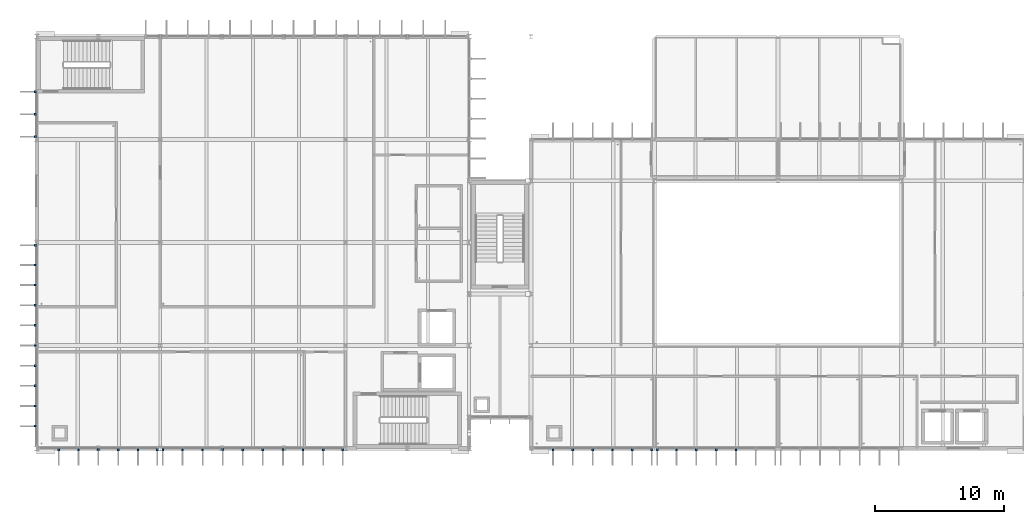
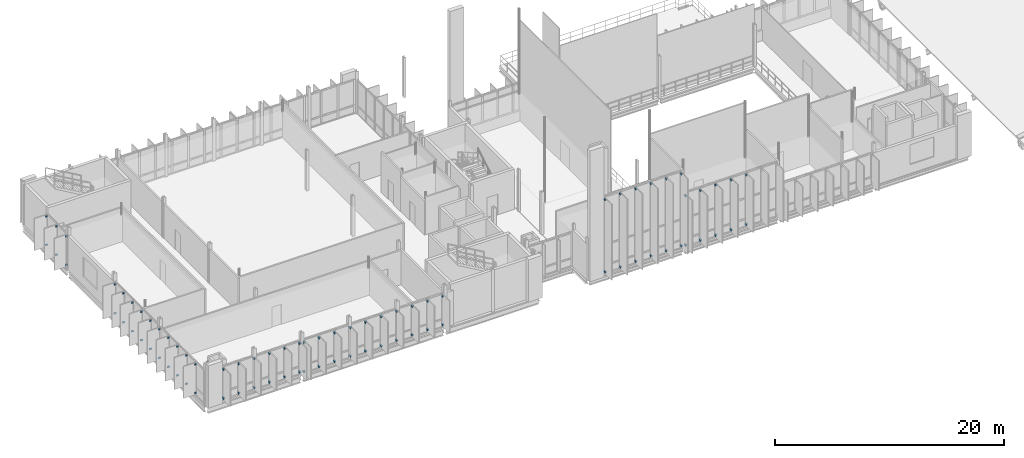
# One storey, part 34 of 41: 80 discrete accessories.
"""IFC4 building model written with IfcOpenShell, lengths in metres."""

from ifc_helpers import new_model, si_unit, direction, frame, origin, origin_2d, place, context, subcontext, project, spatial, rectangle, extrude, material, type_object, element, save


model = new_model("IFC4")

# Units and contexts
model_context = context("Model", 3, precision=1e-05, world=origin(), true_north=direction((0.0, 1.0)))
body_context = subcontext(model_context, "Body", "Model", "MODEL_VIEW")
ifc_project = project(units=[si_unit("LENGTHUNIT", "METRE"), si_unit("AREAUNIT", "SQUARE_METRE"), si_unit("VOLUMEUNIT", "CUBIC_METRE"), si_unit("PLANEANGLEUNIT", "RADIAN"), si_unit("MASSUNIT", "GRAM", prefix="KILO")], contexts=[model_context])

# Site, building, storey
site_placement = place(None, origin())
site = spatial("IfcSite", under=ifc_project, at=site_placement, CompositionType="ELEMENT")
building_placement = place(site_placement, origin())
building = spatial("IfcBuilding", under=site, at=building_placement, Name="Dunescarp Central Library", CompositionType="ELEMENT")
storey_placement = place(building_placement, frame((0.0, 0.0, 23.10009765625)))
storey = spatial("IfcBuildingStorey", under=building, at=storey_placement, Name="L05", CompositionType="ELEMENT", Elevation=23.10009765625)

# Discrete accessories
ifc_material = material(Name="Stainless steel Grade 316L", Category="steel")
discrete_accessory_type = type_object("IfcDiscreteAccessoryType", Name="ARC-ACC-BRK", PredefinedType="BRACKET", material=ifc_material)
for number, where, z_axis, x_axis, name in (
    (1, (9.385009765625, 4.719970703125, 0.27685546875), (0.0, 0.0, 1.0), (0.0, -1.0, 0.0), "Fin bracket BRK-FIN-L05-0215-B"),
    (2, (9.385009765625, 4.719970703125, 3.32275390625), (0.0, 0.0, 1.0), (0.0, -1.0, 0.0), "Fin bracket BRK-FIN-L05-0215-T"),
    (3, (7.883056640625, 4.719970703125, 0.2900390625), (0.0, 0.0, 1.0), (0.0, -1.0, 0.0), "Fin bracket BRK-FIN-L05-0216-B"),
    (4, (7.883056640625, 4.719970703125, 3.32275390625), (0.0, 0.0, 1.0), (0.0, -1.0, 0.0), "Fin bracket BRK-FIN-L05-0216-T"),
    (5, (6.342041015625, 4.719970703125, 0.27392578125), (0.0, 0.0, 1.0), (0.0, -1.0, 0.0), "Fin bracket BRK-FIN-L05-0217-B"),
    (6, (6.342041015625, 4.719970703125, 3.32275390625), (0.0, 0.0, 1.0), (0.0, -1.0, 0.0), "Fin bracket BRK-FIN-L05-0217-T"),
    (7, (4.800048828125, 4.719970703125, 0.23291015625), (0.0, 0.0, 1.0), (0.0, -1.0, 0.0), "Fin bracket BRK-FIN-L05-0218-B"),
    (8, (4.800048828125, 4.719970703125, 3.32275390625), (0.0, 0.0, 1.0), (0.0, -1.0, 0.0), "Fin bracket BRK-FIN-L05-0218-T"),
    (9, (3.258056640625, 4.719970703125, 0.18994140625), (0.0, 0.0, 1.0), (0.0, -1.0, 0.0), "Fin bracket BRK-FIN-L05-0219-B"),
    (10, (3.258056640625, 4.719970703125, 3.31201171875), (0.0, 0.0, 1.0), (0.0, -1.0, 0.0), "Fin bracket BRK-FIN-L05-0219-T"),
    (11, (1.717041015625, 4.719970703125, 0.18994140625), (0.0, 0.0, 1.0), (0.0, -1.0, 0.0), "Fin bracket BRK-FIN-L05-0220-B"),
    (12, (1.717041015625, 4.719970703125, 3.26171875), (0.0, 0.0, 1.0), (0.0, -1.0, 0.0), "Fin bracket BRK-FIN-L05-0220-T"),
    (13, (23.784912109375, 4.719970703125, 0.27685546875), (0.0, 0.0, 1.0), (0.0, -1.0, 0.0), "Fin bracket BRK-FIN-L05-0221-B"),
    (14, (23.784912109375, 4.719970703125, 3.32275390625), (0.0, 0.0, 1.0), (0.0, -1.0, 0.0), "Fin bracket BRK-FIN-L05-0221-T"),
    (15, (22.263916015625, 4.719970703125, 0.2900390625), (0.0, 0.0, 1.0), (0.0, -1.0, 0.0), "Fin bracket BRK-FIN-L05-0222-B"),
    (16, (22.263916015625, 4.719970703125, 3.32275390625), (0.0, 0.0, 1.0), (0.0, -1.0, 0.0), "Fin bracket BRK-FIN-L05-0222-T"),
    (17, (20.702880859375, 4.719970703125, 0.27392578125), (0.0, 0.0, 1.0), (0.0, -1.0, 0.0), "Fin bracket BRK-FIN-L05-0223-B"),
    (18, (20.702880859375, 4.719970703125, 3.32275390625), (0.0, 0.0, 1.0), (0.0, -1.0, 0.0), "Fin bracket BRK-FIN-L05-0223-T"),
    (19, (19.14208984375, 4.719970703125, 0.23291015625), (0.0, 0.0, 1.0), (0.0, -1.0, 0.0), "Fin bracket BRK-FIN-L05-0224-B"),
    (20, (19.14208984375, 4.719970703125, 3.32275390625), (0.0, 0.0, 1.0), (0.0, -1.0, 0.0), "Fin bracket BRK-FIN-L05-0224-T"),
    (21, (17.5810546875, 4.719970703125, 0.18994140625), (0.0, 0.0, 1.0), (0.0, -1.0, 0.0), "Fin bracket BRK-FIN-L05-0225-B"),
    (22, (17.5810546875, 4.719970703125, 3.31201171875), (0.0, 0.0, 1.0), (0.0, -1.0, 0.0), "Fin bracket BRK-FIN-L05-0225-T"),
    (23, (16.01904296875, 4.719970703125, 0.18994140625), (0.0, 0.0, 1.0), (0.0, -1.0, 0.0), "Fin bracket BRK-FIN-L05-0226-B"),
    (24, (16.01904296875, 4.719970703125, 3.26171875), (0.0, 0.0, 1.0), (0.0, -1.0, 0.0), "Fin bracket BRK-FIN-L05-0226-T"),
    (25, (14.4580078125, 4.719970703125, 0.18994140625), (0.0, 0.0, 1.0), (0.0, -1.0, 0.0), "Fin bracket BRK-FIN-L05-0227-B"),
    (26, (14.4580078125, 4.719970703125, 3.22900390625), (0.0, 0.0, 1.0), (0.0, -1.0, 0.0), "Fin bracket BRK-FIN-L05-0227-T"),
    (27, (12.89697265625, 4.719970703125, 0.18994140625), (0.0, 0.0, 1.0), (0.0, -1.0, 0.0), "Fin bracket BRK-FIN-L05-0228-B"),
    (28, (12.89697265625, 4.719970703125, 3.22509765625), (0.0, 0.0, 1.0), (0.0, -1.0, 0.0), "Fin bracket BRK-FIN-L05-0228-T"),
    (29, (11.3359375, 4.719970703125, 0.18994140625), (0.0, 0.0, 1.0), (0.0, -1.0, 0.0), "Fin bracket BRK-FIN-L05-0229-B"),
    (30, (11.3359375, 4.719970703125, 3.2490234375), (0.0, 0.0, 1.0), (0.0, -1.0, 0.0), "Fin bracket BRK-FIN-L05-0229-T"),
    (31, (9.81494140625, 4.719970703125, 0.18994140625), (0.0, 0.0, 1.0), (0.0, -1.0, 0.0), "Fin bracket BRK-FIN-L05-0230-B"),
    (32, (9.81494140625, 4.719970703125, 3.294921875), (0.0, 0.0, 1.0), (0.0, -1.0, 0.0), "Fin bracket BRK-FIN-L05-0230-T"),
    (33, (-0.080078125, 6.5400390625, 0.2900390625), (0.0, 0.0, 1.0), (-1.0, 0.0, 0.0), "Fin bracket BRK-FIN-L05-0247-B"),
    (34, (-0.080078125, 6.5400390625, 3.32275390625), (0.0, 0.0, 1.0), (-1.0, 0.0, 0.0), "Fin bracket BRK-FIN-L05-0247-T"),
    (35, (-0.080078125, 8.10498046875, 0.27392578125), (0.0, 0.0, 1.0), (-1.0, 0.0, 0.0), "Fin bracket BRK-FIN-L05-0248-B"),
    (36, (-0.080078125, 8.10498046875, 3.32275390625), (0.0, 0.0, 1.0), (-1.0, 0.0, 0.0), "Fin bracket BRK-FIN-L05-0248-T"),
    (37, (-0.080078125, 9.669921875, 0.23291015625), (0.0, 0.0, 1.0), (-1.0, 0.0, 0.0), "Fin bracket BRK-FIN-L05-0249-B"),
    (38, (-0.080078125, 9.669921875, 3.32275390625), (0.0, 0.0, 1.0), (-1.0, 0.0, 0.0), "Fin bracket BRK-FIN-L05-0249-T"),
    (39, (-0.080078125, 11.235107421875, 0.18994140625), (0.0, 0.0, 1.0), (-1.0, 0.0, 0.0), "Fin bracket BRK-FIN-L05-0250-B"),
    (40, (-0.080078125, 11.235107421875, 3.31201171875), (0.0, 0.0, 1.0), (-1.0, 0.0, 0.0), "Fin bracket BRK-FIN-L05-0250-T"),
    (41, (-0.080078125, 12.800048828125, 0.18994140625), (0.0, 0.0, 1.0), (-1.0, 0.0, 0.0), "Fin bracket BRK-FIN-L05-0251-B"),
    (42, (-0.080078125, 12.800048828125, 3.26171875), (0.0, 0.0, 1.0), (-1.0, 0.0, 0.0), "Fin bracket BRK-FIN-L05-0251-T"),
    (43, (-0.080078125, 14.364990234375, 0.18994140625), (0.0, 0.0, 1.0), (-1.0, 0.0, 0.0), "Fin bracket BRK-FIN-L05-0252-B"),
    (44, (-0.080078125, 14.364990234375, 3.22900390625), (0.0, 0.0, 1.0), (-1.0, 0.0, 0.0), "Fin bracket BRK-FIN-L05-0252-T"),
    (45, (-0.080078125, 15.929931640625, 0.18994140625), (0.0, 0.0, 1.0), (-1.0, 0.0, 0.0), "Fin bracket BRK-FIN-L05-0253-B"),
    (46, (-0.080078125, 15.929931640625, 3.22509765625), (0.0, 0.0, 1.0), (-1.0, 0.0, 0.0), "Fin bracket BRK-FIN-L05-0253-T"),
    (47, (-0.080078125, 17.4951171875, 0.18994140625), (0.0, 0.0, 1.0), (-1.0, 0.0, 0.0), "Fin bracket BRK-FIN-L05-0254-B"),
    (48, (-0.080078125, 17.4951171875, 3.2490234375), (0.0, 0.0, 1.0), (-1.0, 0.0, 0.0), "Fin bracket BRK-FIN-L05-0254-T"),
    (49, (-0.080078125, 19.06005859375, 0.18994140625), (0.0, 0.0, 1.0), (-1.0, 0.0, 0.0), "Fin bracket BRK-FIN-L05-0255-B"),
    (50, (-0.080078125, 19.06005859375, 3.294921875), (0.0, 0.0, 1.0), (-1.0, 0.0, 0.0), "Fin bracket BRK-FIN-L05-0255-T"),
    (51, (-0.080078125, 20.5849609375, 0.2158203125), (0.0, 0.0, 1.0), (-1.0, 0.0, 0.0), "Fin bracket BRK-FIN-L05-0256-B"),
    (52, (-0.080078125, 20.5849609375, 3.32275390625), (0.0, 0.0, 1.0), (-1.0, 0.0, 0.0), "Fin bracket BRK-FIN-L05-0256-T"),
    (53, (-0.080078125, 29.014892578125, 0.27685546875), (0.0, 0.0, 1.0), (-1.0, 0.0, 0.0), "Fin bracket BRK-FIN-L05-0257-B"),
    (54, (-0.080078125, 29.014892578125, 3.32275390625), (0.0, 0.0, 1.0), (-1.0, 0.0, 0.0), "Fin bracket BRK-FIN-L05-0257-T"),
    (55, (-0.080078125, 30.761962890625, 0.2900390625), (0.0, 0.0, 1.0), (-1.0, 0.0, 0.0), "Fin bracket BRK-FIN-L05-0258-B"),
    (56, (-0.080078125, 30.761962890625, 3.32275390625), (0.0, 0.0, 1.0), (-1.0, 0.0, 0.0), "Fin bracket BRK-FIN-L05-0258-T"),
    (57, (-0.080078125, 32.510009765625, 0.27392578125), (0.0, 0.0, 1.0), (-1.0, 0.0, 0.0), "Fin bracket BRK-FIN-L05-0259-B"),
    (58, (-0.080078125, 32.510009765625, 3.32275390625), (0.0, 0.0, 1.0), (-1.0, 0.0, 0.0), "Fin bracket BRK-FIN-L05-0259-T"),
    (59, (47.784912109375, 4.719970703125, 0.27685546875), (0.0, 0.0, 1.0), (0.0, -1.0, 0.0), "Fin bracket BRK-FIN-L05-0510-B"),
    (60, (47.784912109375, 4.719970703125, 7.94287109375), (0.0, 0.0, 1.0), (0.0, -1.0, 0.0), "Fin bracket BRK-FIN-L05-0510-T"),
    (61, (46.282958984375, 4.719970703125, 0.2900390625), (0.0, 0.0, 1.0), (0.0, -1.0, 0.0), "Fin bracket BRK-FIN-L05-0511-B"),
    (62, (46.282958984375, 4.719970703125, 7.94287109375), (0.0, 0.0, 1.0), (0.0, -1.0, 0.0), "Fin bracket BRK-FIN-L05-0511-T"),
    (63, (44.741943359375, 4.719970703125, 0.27392578125), (0.0, 0.0, 1.0), (0.0, -1.0, 0.0), "Fin bracket BRK-FIN-L05-0512-B"),
    (64, (44.741943359375, 4.719970703125, 7.94287109375), (0.0, 0.0, 1.0), (0.0, -1.0, 0.0), "Fin bracket BRK-FIN-L05-0512-T"),
    (65, (43.199951171875, 4.719970703125, 0.23291015625), (0.0, 0.0, 1.0), (0.0, -1.0, 0.0), "Fin bracket BRK-FIN-L05-0513-B"),
    (66, (43.199951171875, 4.719970703125, 7.94287109375), (0.0, 0.0, 1.0), (0.0, -1.0, 0.0), "Fin bracket BRK-FIN-L05-0513-T"),
    (67, (41.657958984375, 4.719970703125, 0.18994140625), (0.0, 0.0, 1.0), (0.0, -1.0, 0.0), "Fin bracket BRK-FIN-L05-0514-B"),
    (68, (41.657958984375, 4.719970703125, 7.93212890625), (0.0, 0.0, 1.0), (0.0, -1.0, 0.0), "Fin bracket BRK-FIN-L05-0514-T"),
    (69, (40.116943359375, 4.719970703125, 0.18994140625), (0.0, 0.0, 1.0), (0.0, -1.0, 0.0), "Fin bracket BRK-FIN-L05-0515-B"),
    (70, (40.116943359375, 4.719970703125, 7.8818359375), (0.0, 0.0, 1.0), (0.0, -1.0, 0.0), "Fin bracket BRK-FIN-L05-0515-T"),
    (71, (54.342041015625, 4.719970703125, 0.27392578125), (0.0, 0.0, 1.0), (0.0, -1.0, 0.0), "Fin bracket BRK-FIN-L05-0518-B"),
    (72, (54.342041015625, 4.719970703125, 5.54296875), (0.0, 0.0, 1.0), (0.0, -1.0, 0.0), "Fin bracket BRK-FIN-L05-0518-T"),
    (73, (52.800048828125, 4.719970703125, 0.23291015625), (0.0, 0.0, 1.0), (0.0, -1.0, 0.0), "Fin bracket BRK-FIN-L05-0519-B"),
    (74, (52.800048828125, 4.719970703125, 5.54296875), (0.0, 0.0, 1.0), (0.0, -1.0, 0.0), "Fin bracket BRK-FIN-L05-0519-T"),
    (75, (51.258056640625, 4.719970703125, 0.18994140625), (0.0, 0.0, 1.0), (0.0, -1.0, 0.0), "Fin bracket BRK-FIN-L05-0520-B"),
    (76, (51.258056640625, 4.719970703125, 5.53173828125), (0.0, 0.0, 1.0), (0.0, -1.0, 0.0), "Fin bracket BRK-FIN-L05-0520-T"),
    (77, (49.717041015625, 4.719970703125, 0.18994140625), (0.0, 0.0, 1.0), (0.0, -1.0, 0.0), "Fin bracket BRK-FIN-L05-0521-B"),
    (78, (49.717041015625, 4.719970703125, 5.48193359375), (0.0, 0.0, 1.0), (0.0, -1.0, 0.0), "Fin bracket BRK-FIN-L05-0521-T"),
    (79, (48.215087890625, 4.719970703125, 0.18994140625), (0.0, 0.0, 1.0), (0.0, -1.0, 0.0), "Fin bracket BRK-FIN-L05-0522-B"),
    (80, (48.215087890625, 4.719970703125, 5.44873046875), (0.0, 0.0, 1.0), (0.0, -1.0, 0.0), "Fin bracket BRK-FIN-L05-0522-T"),
):
    element("IfcDiscreteAccessory", number, at=place(storey_placement, frame(where, z_axis=z_axis, x_axis=x_axis)), inside=storey, type_object=discrete_accessory_type, Name=name, PredefinedType="BRACKET", context=body_context, shape_type="SweptSolid", body=[
        extrude(rectangle(XDim=0.219970703125, YDim=0.139892578125, at=origin_2d()), origin(), (0.0, 0.0, 1.0), 0.139892578125),
    ])

save(model, "model.ifc")
